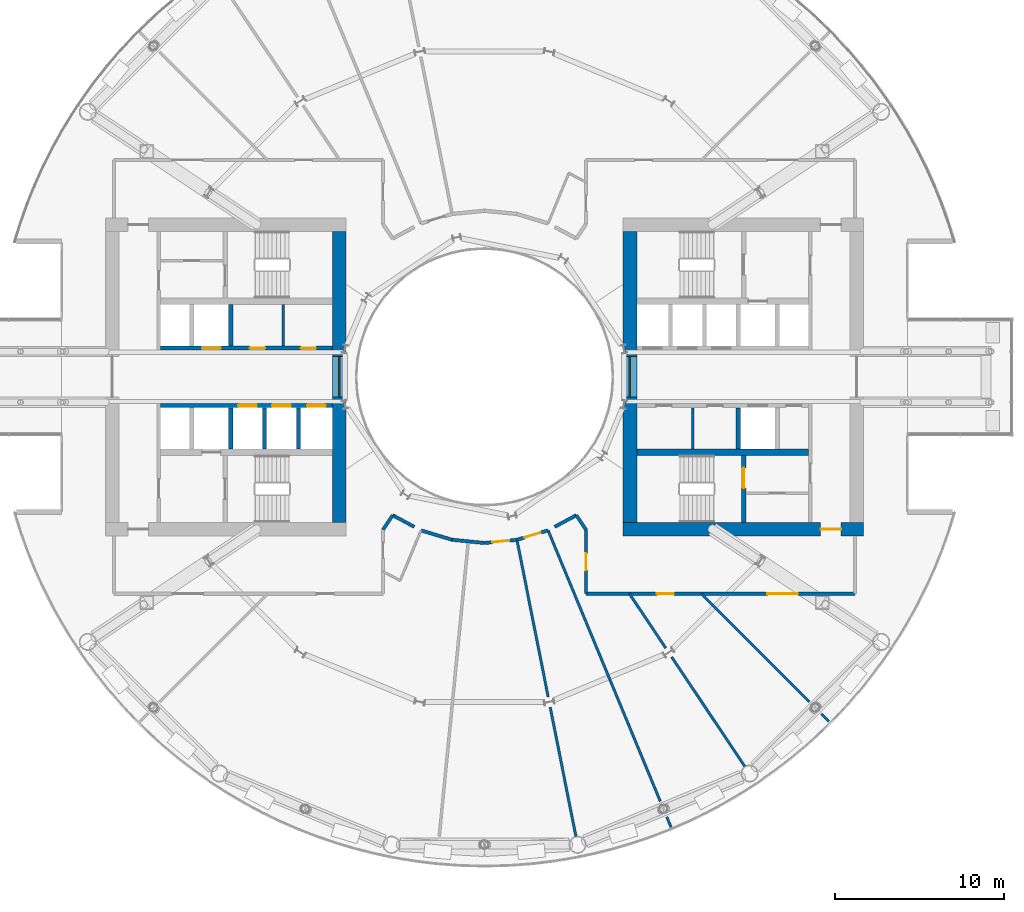
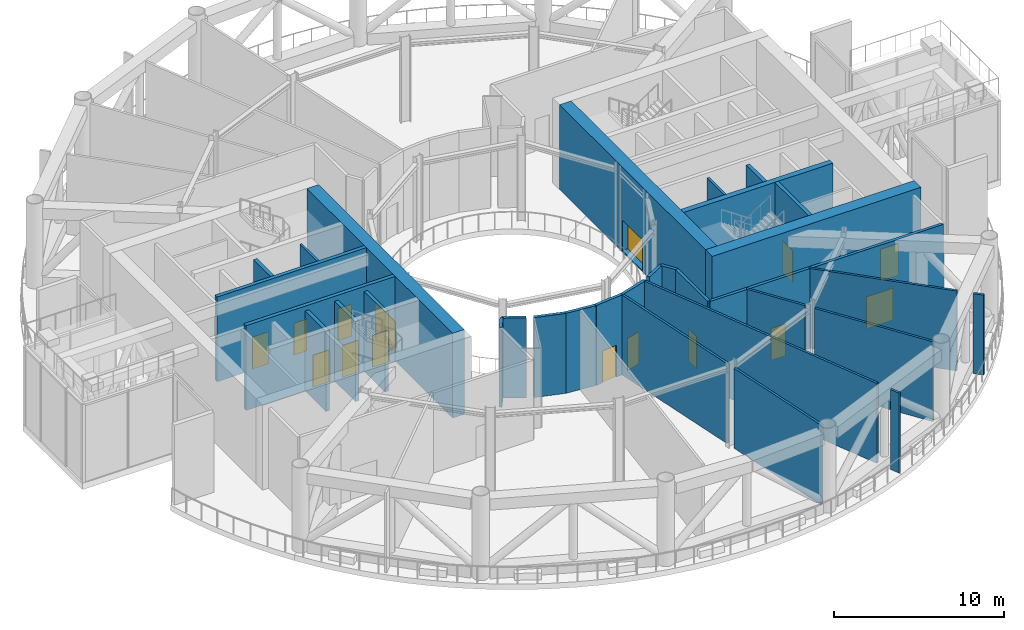
# One storey, part 11 of 22: 32 walls, 13 doors, 2 windows, 15 openings.
"""IFC4 building model written with IfcOpenShell, lengths in metres."""

import ifcopenshell
import ifcopenshell.guid

model = None  # the IFC model being written
_history = None  # IfcOwnerHistory: only IFC2X3 demands one
_inside = {}  # id of a spatial element -> (the spatial element, [elements in it])
_under = {}  # id of a project, library or spatial element -> (it, [spatial elements below it])
_declared = {}  # id of a project -> (the project, [libraries it declares])
_typed = {}  # id of a type object -> (the type object, [elements of that type])
_made_of = {}  # id of a material, layer set ... -> (it, [elements and type objects made of it])


def new_model(schema):
    """Start an empty IFC model of exactly this schema.

    Asked for "IFC4X3", IfcOpenShell would pick the latest addendum, in which some entities
    have other attributes; the version numbers below select the first issue.
    IFC2X3 requires an IfcOwnerHistory on every rooted entity: one is made here for all.
    """
    global model, _history
    if schema == "IFC4X3":
        model = ifcopenshell.file(schema_version=(4, 3, 0, 0))
    else:
        model = ifcopenshell.file(schema=schema)
    _inside.clear()
    _under.clear()
    _declared.clear()
    _typed.clear()
    _made_of.clear()
    _history = None
    if model.schema == "IFC2X3":
        org = make("IfcOrganization", Name="unknown")
        user = make(
            "IfcPersonAndOrganization",
            ThePerson=make("IfcPerson", FamilyName="unknown"),
            TheOrganization=org,
        )
        app = make(
            "IfcApplication",
            ApplicationDeveloper=org,
            Version="unknown",
            ApplicationFullName="unknown",
            ApplicationIdentifier="unknown",
        )
        _history = make(
            "IfcOwnerHistory",
            OwningUser=user,
            OwningApplication=app,
            ChangeAction="ADDED",
            CreationDate=0,
        )
    return model


def make(cls, **values):
    """One entity of the class cls with the attributes given. An attribute that is None is left unset."""
    return model.create_entity(
        cls, **{name: value for name, value in values.items() if value is not None}
    )


def rooted(cls, **values):
    """An entity with a GlobalId (a new one), such as an element, a storey or a relation."""
    return make(cls, GlobalId=ifcopenshell.guid.new(), OwnerHistory=_history, **values)


def si_unit(unit_type, name, prefix=None):
    """IfcSIUnit, for example si_unit("LENGTHUNIT", "METRE", prefix="MILLI")."""
    return make("IfcSIUnit", UnitType=unit_type, Prefix=prefix, Name=name)


def assignment(units):
    """IfcUnitAssignment: the units of a project."""
    return None if units is None else make("IfcUnitAssignment", Units=units)


def point(xyz):
    """IfcCartesianPoint."""
    return None if xyz is None else make("IfcCartesianPoint", Coordinates=xyz)


def direction(xyz):
    """IfcDirection."""
    return None if xyz is None else make("IfcDirection", DirectionRatios=xyz)


def frame(location, z_axis=None, x_axis=None):
    """IfcAxis2Placement3D, a coordinate frame: its origin and axes. An axis left out is left unset."""
    return make(
        "IfcAxis2Placement3D",
        Location=point(location),
        Axis=direction(z_axis),
        RefDirection=direction(x_axis),
    )


def frame_2d(location, x_axis=None):
    """IfcAxis2Placement2D, a coordinate frame in the plane: its origin and x axis."""
    return make(
        "IfcAxis2Placement2D", Location=point(location), RefDirection=direction(x_axis)
    )


def origin():
    """The frame at (0, 0, 0) with its axes left unset."""
    return frame((0.0, 0.0, 0.0))


def place(relative_to, where):
    """IfcLocalPlacement: puts the frame where relative to a parent placement (None: the world)."""
    return make(
        "IfcLocalPlacement", PlacementRelTo=relative_to, RelativePlacement=where
    )


def context(
    kind, dimensions, precision=None, world=None, true_north=None, identifier=None
):
    """IfcGeometricRepresentationContext, for example the 3D "Model" context."""
    return make(
        "IfcGeometricRepresentationContext",
        ContextIdentifier=identifier,
        ContextType=kind,
        CoordinateSpaceDimension=dimensions,
        Precision=precision,
        WorldCoordinateSystem=world,
        TrueNorth=true_north,
    )


def subcontext(parent, identifier, kind, view, scale=None):
    """IfcGeometricRepresentationSubContext, for example "Body" below "Model"."""
    return make(
        "IfcGeometricRepresentationSubContext",
        ContextIdentifier=identifier,
        ContextType=kind,
        ParentContext=parent,
        TargetScale=scale,
        TargetView=view,
    )


def project(units=None, contexts=None):
    """IfcProject with its units and contexts."""
    return rooted(
        "IfcProject",
        Name="project",
        RepresentationContexts=contexts,
        UnitsInContext=assignment(units),
    )


def spatial(cls, under=None, at=None, **own):
    """A site, building, storey or space (cls), placed at a placement, below another one or the project."""
    s = rooted(cls, ObjectPlacement=at, **own)
    if under is not None:
        _under.setdefault(under.id(), (under, []))[1].append(s)
    return s


def profile(cls, at=None, kind="AREA", **sizes):
    """A parametric profile (cls). Its sizes go by their IFC names, for example OverallWidth=200.0."""
    return make(cls, ProfileType=kind, Position=at, **sizes)


def rectangle(**sizes):
    """IfcRectangleProfileDef."""
    return profile("IfcRectangleProfileDef", **sizes)


def extrude(swept, where, along, depth):
    """IfcExtrudedAreaSolid: the profile swept, set in the frame where, extruded along a direction by depth."""
    return make(
        "IfcExtrudedAreaSolid",
        SweptArea=swept,
        Position=where,
        ExtrudedDirection=direction(along),
        Depth=depth,
    )


def shape(context_of_items, identifier, shape_type, items):
    """IfcShapeRepresentation: the items that make up one representation, for example the "Body"."""
    return make(
        "IfcShapeRepresentation",
        ContextOfItems=context_of_items,
        RepresentationIdentifier=identifier,
        RepresentationType=shape_type,
        Items=items,
    )


def material(Name=None, Category=None):
    """IfcMaterial."""
    return make("IfcMaterial", Name=Name, Category=Category)


def layer(
    of_material, thickness, ventilated=None, Name=None, Category=None, Priority=None
):
    """IfcMaterialLayer: one layer of a wall or slab, of a material (None: an air gap)."""
    return make(
        "IfcMaterialLayer",
        Material=of_material,
        LayerThickness=thickness,
        IsVentilated=ventilated,
        Name=Name,
        Category=Category,
        Priority=Priority,
    )


def layer_set(layers, Name=None):
    """IfcMaterialLayerSet."""
    return make("IfcMaterialLayerSet", MaterialLayers=layers, LayerSetName=Name)


def made_of(thing, what):
    """Note that an element or type object is made of a material, layer set ...; save() writes the relation."""
    if what is not None:
        _made_of.setdefault(what.id(), (what, []))[1].append(thing)
    return thing


def type_object(cls, material=None, **own):
    """A type object (cls), such as IfcWallType, which elements share."""
    return made_of(rooted(cls, **own), material)


def element(
    cls,
    number,
    at=None,
    inside=None,
    cuts=None,
    type_object=None,
    material=None,
    context=None,
    identifier="Body",
    shape_type=None,
    held_by="IfcProductDefinitionShape",
    body=None,
    shapes=None,
    **own,
):
    """One element of the class cls, such as IfcWall. Its Tag is "e" and its number.

    at: its placement. inside: the storey or other place that contains it. cuts: it is an
    opening in that element (IfcRelVoidsElement). A single representation is given by context,
    identifier, shape_type and body (its items); several are given by shapes. held_by: the class
    of the entity that holds the representations. save() writes the other relations.
    """
    e = rooted(cls, Tag="e%d" % number, ObjectPlacement=at, **own)
    if body is not None:
        shapes = [shape(context, identifier, shape_type, body)]
    if shapes is not None:
        e.Representation = make(held_by, Representations=shapes)
    if inside is not None:
        _inside.setdefault(inside.id(), (inside, []))[1].append(e)
    if cuts is not None:
        rooted(
            "IfcRelVoidsElement", RelatingBuildingElement=cuts, RelatedOpeningElement=e
        )
    if type_object is not None:
        _typed.setdefault(type_object.id(), (type_object, []))[1].append(e)
    return made_of(e, material)


def fill(opening, filler):
    """IfcRelFillsElement: the door or window that sits in an opening."""
    return rooted(
        "IfcRelFillsElement",
        RelatingOpeningElement=opening,
        RelatedBuildingElement=filler,
    )


def aggregate(whole, parts):
    """IfcRelAggregates: a whole, such as a stair, and the parts it consists of."""
    return rooted("IfcRelAggregates", RelatingObject=whole, RelatedObjects=parts)


def save(model, path):
    """Write the relations noted so far, then the file.

    IfcRelAggregates (storeys below a building ...), IfcRelContainedInSpatialStructure (elements
    in a storey), IfcRelDefinesByType, IfcRelAssociatesMaterial and IfcRelDeclares: one each for
    every whole, place, type object, material and project.
    """
    for whole, parts in _under.values():
        aggregate(whole, parts)
    for where, things in _inside.values():
        rooted(
            "IfcRelContainedInSpatialStructure",
            RelatedElements=things,
            RelatingStructure=where,
        )
    for kind, things in _typed.values():
        rooted("IfcRelDefinesByType", RelatedObjects=things, RelatingType=kind)
    for what, things in _made_of.values():
        rooted("IfcRelAssociatesMaterial", RelatedObjects=things, RelatingMaterial=what)
    for by, libraries in _declared.values():
        rooted("IfcRelDeclares", RelatingContext=by, RelatedDefinitions=libraries)
    model.write(path)


model = new_model("IFC4")

# Units and contexts
model_context = context("Model", 3, precision=1e-05, world=origin(), true_north=direction((0.0, 1.0)))
body_context = subcontext(model_context, "Body", "Model", "MODEL_VIEW")
ifc_project = project(units=[si_unit("LENGTHUNIT", "METRE"), si_unit("AREAUNIT", "SQUARE_METRE"), si_unit("VOLUMEUNIT", "CUBIC_METRE"), si_unit("PLANEANGLEUNIT", "RADIAN"), si_unit("MASSUNIT", "GRAM", prefix="KILO")], contexts=[model_context])

# Site, building, storey
site_placement = place(None, origin())
site = spatial("IfcSite", under=ifc_project, at=site_placement, CompositionType="ELEMENT")
building_placement = place(site_placement, origin())
building = spatial("IfcBuilding", under=site, at=building_placement, Name="Maasbend Ring Residences", CompositionType="ELEMENT")
storey_placement = place(building_placement, frame((0.0, 0.0, 57.5)))
storey = spatial("IfcBuildingStorey", under=building, at=storey_placement, Name="L16", CompositionType="ELEMENT", Elevation=57.5)

# Wall, opening, door
ifc_material_1 = material(Name="Concrete C70/85", Category="concrete")
ifc_layer_1 = layer(ifc_material_1, 0.25)
ifc_layer_set_1 = layer_set([ifc_layer_1], Name="Concrete C70/85")
wall_type_1 = type_object("IfcWallType", Name="CORE WALL 250 C70/85", PredefinedType="SHEAR", material=ifc_layer_set_1)
wall_1_placement = place(storey_placement, frame((15.324951171875, -8.60009765625, 0.0), z_axis=(0.0, 0.0, 1.0), x_axis=(0.0, 1.0, 0.0)))
wall_1 = element("IfcWall", 1, at=wall_1_placement, inside=storey, type_object=wall_type_1, Name="L16 core E wall STES", PredefinedType="SHEAR", context=body_context, shape_type="SweptSolid", body=[
    extrude(rectangle(XDim=3.9501953125, YDim=0.25, at=frame_2d((1.97509765625, 0.0))), origin(), (0.0, 0.0, 1.0), 6.10009765625),
])
opening_1_placement = place(wall_1_placement, frame((2.02490234375, 0.0, 0.0)))
opening_1 = element("IfcOpeningElement", 2, at=opening_1_placement, cuts=wall_1, Name="Opening D-E1611", PredefinedType="OPENING", context=body_context, shape_type="SweptSolid", body=[
    extrude(rectangle(XDim=1.199951171875, YDim=2.300048828125, at=frame_2d((0.60009765625, 1.14990234375))), frame((0.0, 0.135009765625, 0.0), z_axis=(0.0, -1.0, 0.0), x_axis=(1.0, 0.0, 0.0)), (0.0, 0.0, 1.0), 0.27001953125),
])
ifc_material_2 = material(Name="Steel, powder coated", Category="steel")
door_type_1 = type_object("IfcDoorType", Name="STAIR DOOR 1200 X 2300 FD60", OperationType="NOTDEFINED", PredefinedType="DOOR", material=ifc_material_2)
door_1_placement = place(opening_1_placement, origin())
door_1 = element("IfcDoor", 3, at=door_1_placement, inside=storey, type_object=door_type_1, Name="Stair door ST-E L16", OperationType="SINGLE_SWING_LEFT", OverallHeight=2.300048828125, OverallWidth=1.199951171875, PredefinedType="DOOR", context=body_context, shape_type="SweptSolid", body=[
    extrude(rectangle(XDim=1.199951171875, YDim=2.300048828125, at=frame_2d((0.60009765625, 1.14990234375))), frame((0.0, 0.02490234375, 0.0), z_axis=(0.0, -1.0, 0.0), x_axis=(1.0, 0.0, 0.0)), (0.0, 0.0, 1.0), 0.050048828125),
])
fill(opening_1, door_1)

# Wall, openings, doors
wall_2_placement = place(storey_placement, frame((-9.0, -1.699951171875, 0.0), z_axis=(0.0, 0.0, 1.0), x_axis=(-1.0, 0.0, 0.0)))
wall_2 = element("IfcWall", 4, at=wall_2_placement, inside=storey, type_object=wall_type_1, Name="L16 core W wall SPN", PredefinedType="SHEAR", context=body_context, shape_type="SweptSolid", body=[
    extrude(rectangle(XDim=10.14990234375, YDim=0.25, at=frame_2d((5.074951171875, 0.0))), origin(), (0.0, 0.0, 1.0), 6.10009765625),
])
opening_2_placement = place(wall_2_placement, frame((0.387451171875, 0.0, 0.0)))
opening_2 = element("IfcOpeningElement", 5, at=opening_2_placement, cuts=wall_2, Name="Opening LD-W1601", PredefinedType="OPENING", context=body_context, shape_type="SweptSolid", body=[
    extrude(rectangle(XDim=1.10009765625, YDim=2.300048828125, at=frame_2d((0.550048828125, 1.14990234375))), frame((0.0, 0.135009765625, 0.0), z_axis=(0.0, -1.0, 0.0), x_axis=(1.0, 0.0, 0.0)), (0.0, 0.0, 1.0), 0.27001953125),
])
opening_3_placement = place(wall_2_placement, frame((2.449951171875, 0.0, 0.0)))
opening_3 = element("IfcOpeningElement", 6, at=opening_3_placement, cuts=wall_2, Name="Opening LD-W1602", PredefinedType="OPENING", context=body_context, shape_type="SweptSolid", body=[
    extrude(rectangle(XDim=1.10009765625, YDim=2.300048828125, at=frame_2d((0.550048828125, 1.14990234375))), frame((0.0, 0.135009765625, 0.0), z_axis=(0.0, -1.0, 0.0), x_axis=(1.0, 0.0, 0.0)), (0.0, 0.0, 1.0), 0.27001953125),
])
opening_4_placement = place(wall_2_placement, frame((4.449951171875, 0.0, 0.0)))
opening_4 = element("IfcOpeningElement", 7, at=opening_4_placement, cuts=wall_2, Name="Opening LD-W1603", PredefinedType="OPENING", context=body_context, shape_type="SweptSolid", body=[
    extrude(rectangle(XDim=1.10009765625, YDim=2.300048828125, at=frame_2d((0.550048828125, 1.14990234375))), frame((0.0, 0.135009765625, 0.0), z_axis=(0.0, -1.0, 0.0), x_axis=(1.0, 0.0, 0.0)), (0.0, 0.0, 1.0), 0.27001953125),
])
ifc_material_3 = material(Name="Stainless steel 316", Category="steel")
door_type_2 = type_object("IfcDoorType", Name="LANDING DOOR 1100 X 2300 FD60", OperationType="DOUBLE_DOOR_SLIDING", PredefinedType="DOOR", material=ifc_material_3)
door_2_placement = place(opening_2_placement, origin())
door_2 = element("IfcDoor", 8, at=door_2_placement, inside=storey, type_object=door_type_2, Name="Landing door LR-W1 L16", OperationType="DOUBLE_DOOR_SLIDING", OverallHeight=2.300048828125, OverallWidth=1.10009765625, PredefinedType="DOOR", context=body_context, shape_type="SweptSolid", body=[
    extrude(rectangle(XDim=1.10009765625, YDim=2.300048828125, at=frame_2d((0.550048828125, 1.14990234375))), frame((0.0, 0.02490234375, 0.0), z_axis=(0.0, -1.0, 0.0), x_axis=(1.0, 0.0, 0.0)), (0.0, 0.0, 1.0), 0.050048828125),
])
fill(opening_2, door_2)
door_3_placement = place(opening_3_placement, origin())
door_3 = element("IfcDoor", 9, at=door_3_placement, inside=storey, type_object=door_type_2, Name="Landing door LR-W2 L16", OperationType="DOUBLE_DOOR_SLIDING", OverallHeight=2.300048828125, OverallWidth=1.10009765625, PredefinedType="DOOR", context=body_context, shape_type="SweptSolid", body=[
    extrude(rectangle(XDim=1.10009765625, YDim=2.300048828125, at=frame_2d((0.550048828125, 1.14990234375))), frame((0.0, 0.02490234375, 0.0), z_axis=(0.0, -1.0, 0.0), x_axis=(1.0, 0.0, 0.0)), (0.0, 0.0, 1.0), 0.050048828125),
])
fill(opening_3, door_3)
door_4_placement = place(opening_4_placement, origin())
door_4 = element("IfcDoor", 10, at=door_4_placement, inside=storey, type_object=door_type_2, Name="Landing door LR-W3 L16", OperationType="DOUBLE_DOOR_SLIDING", OverallHeight=2.300048828125, OverallWidth=1.10009765625, PredefinedType="DOOR", context=body_context, shape_type="SweptSolid", body=[
    extrude(rectangle(XDim=1.10009765625, YDim=2.300048828125, at=frame_2d((0.550048828125, 1.14990234375))), frame((0.0, 0.02490234375, 0.0), z_axis=(0.0, -1.0, 0.0), x_axis=(1.0, 0.0, 0.0)), (0.0, 0.0, 1.0), 0.050048828125),
])
fill(opening_4, door_4)

wall_3_placement = place(storey_placement, frame((-19.14990234375, 1.699951171875, 0.0), z_axis=(0.0, 0.0, 1.0), x_axis=(1.0, 0.0, 0.0)))
wall_3 = element("IfcWall", 11, at=wall_3_placement, inside=storey, type_object=wall_type_1, Name="L16 core W wall SPS", PredefinedType="SHEAR", context=body_context, shape_type="SweptSolid", body=[
    extrude(rectangle(XDim=10.14990234375, YDim=0.25, at=frame_2d((5.074951171875, 0.0))), origin(), (0.0, 0.0, 1.0), 6.10009765625),
])
opening_5_placement = place(wall_3_placement, frame((2.449951171875, 0.0, 0.0)))
opening_5 = element("IfcOpeningElement", 12, at=opening_5_placement, cuts=wall_3, Name="Opening LD-W1605", PredefinedType="OPENING", context=body_context, shape_type="SweptSolid", body=[
    extrude(rectangle(XDim=1.10009765625, YDim=2.300048828125, at=frame_2d((0.550048828125, 1.14990234375))), frame((0.0, 0.135009765625, 0.0), z_axis=(0.0, -1.0, 0.0), x_axis=(1.0, 0.0, 0.0)), (0.0, 0.0, 1.0), 0.27001953125),
])
opening_6_placement = place(wall_3_placement, frame((8.28759765625, 0.0, 0.0)))
opening_6 = element("IfcOpeningElement", 13, at=opening_6_placement, cuts=wall_3, Name="Opening D-W1606", PredefinedType="OPENING", context=body_context, shape_type="SweptSolid", body=[
    extrude(rectangle(XDim=0.89990234375, YDim=2.300048828125, at=frame_2d((0.449951171875, 1.14990234375))), frame((0.0, 0.135009765625, 0.0), z_axis=(0.0, -1.0, 0.0), x_axis=(1.0, 0.0, 0.0)), (0.0, 0.0, 1.0), 0.27001953125),
])
opening_7_placement = place(wall_3_placement, frame((5.27490234375, 0.0, 0.0)))
opening_7 = element("IfcOpeningElement", 14, at=opening_7_placement, cuts=wall_3, Name="Opening D-W1607", PredefinedType="OPENING", context=body_context, shape_type="SweptSolid", body=[
    extrude(rectangle(XDim=0.89990234375, YDim=2.300048828125, at=frame_2d((0.449951171875, 1.14990234375))), frame((0.0, 0.135009765625, 0.0), z_axis=(0.0, -1.0, 0.0), x_axis=(1.0, 0.0, 0.0)), (0.0, 0.0, 1.0), 0.27001953125),
])
door_5_placement = place(opening_5_placement, origin())
door_5 = element("IfcDoor", 15, at=door_5_placement, inside=storey, type_object=door_type_2, Name="Landing door SV-W L16", OperationType="DOUBLE_DOOR_SLIDING", OverallHeight=2.300048828125, OverallWidth=1.10009765625, PredefinedType="DOOR", context=body_context, shape_type="SweptSolid", body=[
    extrude(rectangle(XDim=1.10009765625, YDim=2.300048828125, at=frame_2d((0.550048828125, 1.14990234375))), frame((0.0, 0.02490234375, 0.0), z_axis=(0.0, -1.0, 0.0), x_axis=(1.0, 0.0, 0.0)), (0.0, 0.0, 1.0), 0.050048828125),
])
fill(opening_5, door_5)
ifc_material_4 = material(Name="Steel, powder coated", Category="steel")
door_type_3 = type_object("IfcDoorType", Name="ROOM DOOR 900 X 2300 FD30S", OperationType="NOTDEFINED", PredefinedType="DOOR", material=ifc_material_4)
door_6_placement = place(opening_6_placement, origin())
door_6 = element("IfcDoor", 16, at=door_6_placement, inside=storey, type_object=door_type_3, Name="Room door L16", OperationType="SINGLE_SWING_LEFT", OverallHeight=2.300048828125, OverallWidth=0.89990234375, PredefinedType="DOOR", context=body_context, shape_type="SweptSolid", body=[
    extrude(rectangle(XDim=0.89990234375, YDim=2.300048828125, at=frame_2d((0.449951171875, 1.14990234375))), frame((0.0, 0.02490234375, 0.0), z_axis=(0.0, -1.0, 0.0), x_axis=(1.0, 0.0, 0.0)), (0.0, 0.0, 1.0), 0.050048828125),
])
fill(opening_6, door_6)
door_7_placement = place(opening_7_placement, origin())
door_7 = element("IfcDoor", 17, at=door_7_placement, inside=storey, type_object=door_type_3, Name="Room door L16", OperationType="SINGLE_SWING_LEFT", OverallHeight=2.300048828125, OverallWidth=0.89990234375, PredefinedType="DOOR", context=body_context, shape_type="SweptSolid", body=[
    extrude(rectangle(XDim=0.89990234375, YDim=2.300048828125, at=frame_2d((0.449951171875, 1.14990234375))), frame((0.0, 0.02490234375, 0.0), z_axis=(0.0, -1.0, 0.0), x_axis=(1.0, 0.0, 0.0)), (0.0, 0.0, 1.0), 0.050048828125),
])
fill(opening_7, door_7)

# Wall
ifc_material_5 = material(Name="Concrete C70/85", Category="concrete")
ifc_layer_2 = layer(ifc_material_5, 0.375)
ifc_layer_set_2 = layer_set([ifc_layer_2], Name="Concrete C70/85")
wall_type_2 = type_object("IfcWallType", Name="CORE WALL 375 C70/85", PredefinedType="SHEAR", material=ifc_layer_set_2)
wall_4_placement = place(storey_placement, frame((9.0, -4.46240234375, 0.0), z_axis=(0.0, 0.0, 1.0), x_axis=(1.0, 0.0, 0.0)))
element("IfcWall", 18, at=wall_4_placement, inside=storey, type_object=wall_type_2, Name="L16 core E wall BS", PredefinedType="SHEAR", context=body_context, shape_type="SweptSolid", body=[
    extrude(rectangle(XDim=10.14990234375, YDim=0.375, at=frame_2d((5.074951171875, 0.0))), origin(), (0.0, 0.0, 1.0), 6.10009765625),
])

# Wall, opening, door
ifc_material_6 = material(Name="Concrete C70/85", Category="concrete")
ifc_layer_3 = layer(ifc_material_6, 0.800048828125)
ifc_layer_set_3 = layer_set([ifc_layer_3], Name="Concrete C70/85")
wall_type_3 = type_object("IfcWallType", Name="CORE WALL 800 C70/85", PredefinedType="SHEAR", material=ifc_layer_set_3)
wall_5_placement = place(storey_placement, frame((8.199951171875, -9.0, 0.0), z_axis=(0.0, 0.0, 1.0), x_axis=(1.0, 0.0, 0.0)))
wall_5 = element("IfcWall", 19, at=wall_5_placement, inside=storey, type_object=wall_type_3, Name="L16 core E wall PS", PredefinedType="SHEAR", context=body_context, shape_type="SweptSolid", body=[
    extrude(rectangle(XDim=14.199951171875, YDim=0.800048828125, at=frame_2d((7.10009765625, 0.0))), origin(), (0.0, 0.0, 1.0), 6.10009765625),
])
opening_8_placement = place(wall_5_placement, frame((11.675048828125, 0.0, 0.0)))
opening_8 = element("IfcOpeningElement", 20, at=opening_8_placement, cuts=wall_5, Name="Opening D-E1615", PredefinedType="OPENING", context=body_context, shape_type="SweptSolid", body=[
    extrude(rectangle(XDim=1.199951171875, YDim=2.300048828125, at=frame_2d((0.60009765625, 1.14990234375))), frame((0.0, 0.41015625, 0.0), z_axis=(0.0, -1.0, 0.0), x_axis=(1.0, 0.0, 0.0)), (0.0, 0.0, 1.0), 0.820068359375),
])
ifc_material_7 = material(Name="Steel, powder coated", Category="steel")
door_type_4 = type_object("IfcDoorType", Name="CORRIDOR DOOR 1200 X 2300 FD30S", OperationType="NOTDEFINED", PredefinedType="DOOR", material=ifc_material_7)
door_8_placement = place(opening_8_placement, origin())
door_8 = element("IfcDoor", 21, at=door_8_placement, inside=storey, type_object=door_type_4, Name="Corridor door L16", OperationType="SINGLE_SWING_LEFT", OverallHeight=2.300048828125, OverallWidth=1.199951171875, PredefinedType="DOOR", context=body_context, shape_type="SweptSolid", body=[
    extrude(rectangle(XDim=1.199951171875, YDim=2.300048828125, at=frame_2d((0.60009765625, 1.14990234375))), frame((0.0, 0.02490234375, 0.0), z_axis=(0.0, -1.0, 0.0), x_axis=(1.0, 0.0, 0.0)), (0.0, 0.0, 1.0), 0.050048828125),
])
fill(opening_8, door_8)

# Wall, opening, window
wall_6_placement = place(storey_placement, frame((8.60009765625, -8.60009765625, 0.0), z_axis=(0.0, 0.0, 1.0), x_axis=(0.0, 1.0, 0.0)))
wall_6 = element("IfcWall", 22, at=wall_6_placement, inside=storey, type_object=wall_type_3, Name="L16 core E wall PIN", PredefinedType="SHEAR", context=body_context, shape_type="SweptSolid", body=[
    extrude(rectangle(XDim=17.2001953125, YDim=0.800048828125, at=frame_2d((8.60009765625, 0.0))), origin(), (0.0, 0.0, 1.0), 6.10009765625),
])
opening_9_placement = place(wall_6_placement, frame((7.39990234375, 0.0, 0.10009765625)))
opening_9 = element("IfcOpeningElement", 23, at=opening_9_placement, cuts=wall_6, Name="Opening W-E1601", PredefinedType="OPENING", context=body_context, shape_type="SweptSolid", body=[
    extrude(rectangle(XDim=2.39990234375, YDim=2.199951171875, at=frame_2d((1.199951171875, 1.10009765625))), frame((0.0, 0.41015625, 0.0), z_axis=(0.0, -1.0, 0.0), x_axis=(1.0, 0.0, 0.0)), (0.0, 0.0, 1.0), 0.820068359375),
])
ifc_material_8 = material(Name="Aluminium frame and clear glass", Category="aluminium")
window_type = type_object("IfcWindowType", Name="FIXED WINDOW 2400 X 2200", PartitioningType="SINGLE_PANEL", PredefinedType="WINDOW", material=ifc_material_8)
window_1_placement = place(opening_9_placement, origin())
window_1 = element("IfcWindow", 24, at=window_1_placement, inside=storey, type_object=window_type, Name="Lobby window L16", OverallHeight=2.199951171875, OverallWidth=2.39990234375, PartitioningType="SINGLE_PANEL", PredefinedType="WINDOW", context=body_context, shape_type="SweptSolid", body=[
    extrude(rectangle(XDim=2.39990234375, YDim=2.199951171875, at=frame_2d((1.199951171875, 1.10009765625))), frame((0.0, 0.030029296875, 0.0), z_axis=(0.0, -1.0, 0.0), x_axis=(1.0, 0.0, 0.0)), (0.0, 0.0, 1.0), 0.06005859375),
])
fill(opening_9, window_1)

wall_7_placement = place(storey_placement, frame((-8.60009765625, 8.60009765625, 0.0), z_axis=(0.0, 0.0, 1.0), x_axis=(0.0, -1.0, 0.0)))
wall_7 = element("IfcWall", 25, at=wall_7_placement, inside=storey, type_object=wall_type_3, Name="L16 core W wall PIN", PredefinedType="SHEAR", context=body_context, shape_type="SweptSolid", body=[
    extrude(rectangle(XDim=17.2001953125, YDim=0.800048828125, at=frame_2d((8.60009765625, 0.0))), origin(), (0.0, 0.0, 1.0), 6.10009765625),
])
opening_10_placement = place(wall_7_placement, frame((7.39990234375, 0.0, 0.10009765625)))
opening_10 = element("IfcOpeningElement", 26, at=opening_10_placement, cuts=wall_7, Name="Opening W-W1601", PredefinedType="OPENING", context=body_context, shape_type="SweptSolid", body=[
    extrude(rectangle(XDim=2.39990234375, YDim=2.199951171875, at=frame_2d((1.199951171875, 1.10009765625))), frame((0.0, 0.41015625, 0.0), z_axis=(0.0, -1.0, 0.0), x_axis=(1.0, 0.0, 0.0)), (0.0, 0.0, 1.0), 0.820068359375),
])
window_2_placement = place(opening_10_placement, origin())
window_2 = element("IfcWindow", 27, at=window_2_placement, inside=storey, type_object=window_type, Name="Lobby window L16", OverallHeight=2.199951171875, OverallWidth=2.39990234375, PartitioningType="SINGLE_PANEL", PredefinedType="WINDOW", context=body_context, shape_type="SweptSolid", body=[
    extrude(rectangle(XDim=2.39990234375, YDim=2.199951171875, at=frame_2d((1.199951171875, 1.10009765625))), frame((0.0, 0.030029296875, 0.0), z_axis=(0.0, -1.0, 0.0), x_axis=(1.0, 0.0, 0.0)), (0.0, 0.0, 1.0), 0.06005859375),
])
fill(opening_10, window_2)

# Wall, openings, doors
ifc_material_9 = material(Name="Concrete C30/37", Category="concrete")
ifc_layer_4 = layer(ifc_material_9, 0.199951171875)
ifc_layer_set_4 = layer_set([ifc_layer_4], Name="Concrete C30/37")
wall_type_4 = type_object("IfcWallType", Name="CORRIDOR WALL 200 CONCRETE", PredefinedType="PARTITIONING", material=ifc_layer_set_4)
wall_8_placement = place(storey_placement, frame((6.0, -12.820068359375, 0.0), z_axis=(0.0, 0.0, 1.0), x_axis=(1.0, 0.0, 0.0)))
wall_8 = element("IfcWall", 28, at=wall_8_placement, inside=storey, type_object=wall_type_4, Name="U-L16-w005", PredefinedType="PARTITIONING", context=body_context, shape_type="SweptSolid", body=[
    extrude(rectangle(XDim=15.89990234375, YDim=0.199951171875, at=frame_2d((7.949951171875, 0.0))), origin(), (0.0, 0.0, 1.0), 5.75),
])
opening_11_placement = place(wall_8_placement, frame((4.193115234375, 0.0, 0.0)))
opening_11 = element("IfcOpeningElement", 29, at=opening_11_placement, cuts=wall_8, Name="Opening D-1610", PredefinedType="OPENING", context=body_context, shape_type="SweptSolid", body=[
    extrude(rectangle(XDim=1.0, YDim=2.300048828125, at=frame_2d((0.5, 1.14990234375))), frame((0.0, 0.10986328125, 0.0), z_axis=(0.0, -1.0, 0.0), x_axis=(1.0, 0.0, 0.0)), (0.0, 0.0, 1.0), 0.219970703125),
])
opening_12_placement = place(wall_8_placement, frame((10.719970703125, 0.0, 0.0)))
opening_12 = element("IfcOpeningElement", 30, at=opening_12_placement, cuts=wall_8, Name="Opening D-1615", PredefinedType="OPENING", context=body_context, shape_type="SweptSolid", body=[
    extrude(rectangle(XDim=1.800048828125, YDim=2.300048828125, at=frame_2d((0.89990234375, 1.14990234375))), frame((0.0, 0.10986328125, 0.0), z_axis=(0.0, -1.0, 0.0), x_axis=(1.0, 0.0, 0.0)), (0.0, 0.0, 1.0), 0.219970703125),
])
ifc_material_10 = material(Name="Timber, painted", Category="wood")
door_type_5 = type_object("IfcDoorType", Name="DOUBLE DOOR 1800 X 2300", OperationType="NOTDEFINED", PredefinedType="DOOR", material=ifc_material_10)
door_9_placement = place(opening_12_placement, origin())
door_9 = element("IfcDoor", 31, at=door_9_placement, inside=storey, type_object=door_type_5, Name="D-1615", OperationType="DOUBLE_DOOR_SINGLE_SWING", OverallHeight=2.300048828125, OverallWidth=1.800048828125, PredefinedType="DOOR", context=body_context, shape_type="SweptSolid", body=[
    extrude(rectangle(XDim=1.800048828125, YDim=2.300048828125, at=frame_2d((0.89990234375, 1.14990234375))), frame((0.0, 0.02490234375, 0.0), z_axis=(0.0, -1.0, 0.0), x_axis=(1.0, 0.0, 0.0)), (0.0, 0.0, 1.0), 0.050048828125),
])
fill(opening_12, door_9)
ifc_material_11 = material(Name="Timber, painted", Category="wood")
door_type_6 = type_object("IfcDoorType", Name="ROOM DOOR 1000 X 2300", OperationType="NOTDEFINED", PredefinedType="DOOR", material=ifc_material_11)
door_10_placement = place(opening_11_placement, origin())
door_10 = element("IfcDoor", 32, at=door_10_placement, inside=storey, type_object=door_type_6, Name="D-1610", OperationType="SINGLE_SWING_LEFT", OverallHeight=2.300048828125, OverallWidth=1.0, PredefinedType="DOOR", context=body_context, shape_type="SweptSolid", body=[
    extrude(rectangle(XDim=1.0, YDim=2.300048828125, at=frame_2d((0.5, 1.14990234375))), frame((0.0, 0.02490234375, 0.0), z_axis=(0.0, -1.0, 0.0), x_axis=(1.0, 0.0, 0.0)), (0.0, 0.0, 1.0), 0.050048828125),
])
fill(opening_11, door_10)

# Walls
wall_9_placement = place(storey_placement, frame((-5.428955078125, -8.178955078125, 0.0), z_axis=(0.0, 0.0, 1.0), x_axis=(0.881652665802, -0.471898905364, 0.0)))
element("IfcWall", 33, at=wall_9_placement, inside=storey, type_object=wall_type_4, Name="U-L16-w006", PredefinedType="PARTITIONING", context=body_context, shape_type="SweptSolid", body=[
    extrude(rectangle(XDim=1.44970703125, YDim=0.199951171875, at=frame_2d((0.724853515625, 0.0))), origin(), (0.0, 0.0, 1.0), 5.75),
])
wall_10_placement = place(storey_placement, frame((-3.758056640625, -9.072021484375, 0.0), z_axis=(0.0, 0.0, 1.0), x_axis=(0.956896312675, -0.29042976223, 0.0)))
element("IfcWall", 34, at=wall_10_placement, inside=storey, type_object=wall_type_4, Name="U-L16-w007", PredefinedType="PARTITIONING", context=body_context, shape_type="SweptSolid", body=[
    extrude(rectangle(XDim=1.925048828125, YDim=0.199951171875, at=frame_2d((0.96240234375, 0.0))), origin(), (0.0, 0.0, 1.0), 5.75),
])
wall_11_placement = place(storey_placement, frame((-1.928955078125, -9.62890625, 0.0), z_axis=(0.0, 0.0, 1.0), x_axis=(0.995059761059, -0.09927775139, 0.0)))
element("IfcWall", 35, at=wall_11_placement, inside=storey, type_object=wall_type_4, Name="U-L16-w008", PredefinedType="PARTITIONING", context=body_context, shape_type="SweptSolid", body=[
    extrude(rectangle(XDim=1.925537109375, YDim=0.199951171875, at=frame_2d((0.962890625, 0.0))), origin(), (0.0, 0.0, 1.0), 5.75),
])

# Wall, opening, door
wall_12_placement = place(storey_placement, frame((0.0, -9.820068359375, 0.0), z_axis=(0.0, 0.0, 1.0), x_axis=(0.995171860647, 0.098147683504, 0.0)))
wall_12 = element("IfcWall", 36, at=wall_12_placement, inside=storey, type_object=wall_type_4, Name="U-L16-w009", PredefinedType="PARTITIONING", context=body_context, shape_type="SweptSolid", body=[
    extrude(rectangle(XDim=1.92529296875, YDim=0.199951171875, at=frame_2d((0.962646484375, 0.0))), origin(), (0.0, 0.0, 1.0), 5.75),
])
opening_13_placement = place(wall_12_placement, frame((0.462890625, 0.0, 0.0)))
opening_13 = element("IfcOpeningElement", 37, at=opening_13_placement, cuts=wall_12, Name="Opening D-1608", PredefinedType="OPENING", context=body_context, shape_type="SweptSolid", body=[
    extrude(rectangle(XDim=1.0, YDim=2.300048828125, at=frame_2d((0.5, 1.14990234375))), frame((0.0, 0.10986328125, 0.0), z_axis=(0.0, -1.0, 0.0), x_axis=(1.0, 0.0, 0.0)), (0.0, 0.0, 1.0), 0.219970703125),
])
door_11_placement = place(opening_13_placement, origin())
door_11 = element("IfcDoor", 38, at=door_11_placement, inside=storey, type_object=door_type_6, Name="D-1608", OperationType="SINGLE_SWING_LEFT", OverallHeight=2.300048828125, OverallWidth=1.0, PredefinedType="DOOR", context=body_context, shape_type="SweptSolid", body=[
    extrude(rectangle(XDim=1.0, YDim=2.300048828125, at=frame_2d((0.5, 1.14990234375))), frame((0.0, 0.02490234375, 0.0), z_axis=(0.0, -1.0, 0.0), x_axis=(1.0, 0.0, 0.0)), (0.0, 0.0, 1.0), 0.050048828125),
])
fill(opening_13, door_11)

wall_13_placement = place(storey_placement, frame((1.916015625, -9.631103515625, 0.0), z_axis=(0.0, 0.0, 1.0), x_axis=(0.956896312675, 0.29042976223, 0.0)))
wall_13 = element("IfcWall", 39, at=wall_13_placement, inside=storey, type_object=wall_type_4, Name="U-L16-w010", PredefinedType="PARTITIONING", context=body_context, shape_type="SweptSolid", body=[
    extrude(rectangle(XDim=1.925048828125, YDim=0.199951171875, at=frame_2d((0.96240234375, 0.0))), origin(), (0.0, 0.0, 1.0), 5.75),
])
opening_14_placement = place(wall_13_placement, frame((0.4619140625, 0.0, 0.0)))
opening_14 = element("IfcOpeningElement", 40, at=opening_14_placement, cuts=wall_13, Name="Opening D-1614", PredefinedType="OPENING", context=body_context, shape_type="SweptSolid", body=[
    extrude(rectangle(XDim=1.0, YDim=2.300048828125, at=frame_2d((0.5, 1.14990234375))), frame((0.0, 0.10986328125, 0.0), z_axis=(0.0, -1.0, 0.0), x_axis=(1.0, 0.0, 0.0)), (0.0, 0.0, 1.0), 0.219970703125),
])
door_12_placement = place(opening_14_placement, origin())
door_12 = element("IfcDoor", 41, at=door_12_placement, inside=storey, type_object=door_type_6, Name="D-1614", OperationType="SINGLE_SWING_LEFT", OverallHeight=2.300048828125, OverallWidth=1.0, PredefinedType="DOOR", context=body_context, shape_type="SweptSolid", body=[
    extrude(rectangle(XDim=1.0, YDim=2.300048828125, at=frame_2d((0.5, 1.14990234375))), frame((0.0, 0.02490234375, 0.0), z_axis=(0.0, -1.0, 0.0), x_axis=(1.0, 0.0, 0.0)), (0.0, 0.0, 1.0), 0.050048828125),
])
fill(opening_14, door_12)

# Wall
wall_14_placement = place(storey_placement, frame((4.15087890625, -8.862060546875, 0.0), z_axis=(0.0, 0.0, 1.0), x_axis=(0.88193287619, 0.471375011954, 0.0)))
element("IfcWall", 42, at=wall_14_placement, inside=storey, type_object=wall_type_4, Name="U-L16-w011", PredefinedType="PARTITIONING", context=body_context, shape_type="SweptSolid", body=[
    extrude(rectangle(XDim=1.44921875, YDim=0.199951171875, at=frame_2d((0.724609375, 0.0))), origin(), (0.0, 0.0, 1.0), 5.75),
])

# Wall, opening, door
wall_15_placement = place(storey_placement, frame((6.0, -12.820068359375, 0.0), z_axis=(0.0, 0.0, 1.0), x_axis=(0.0, 1.0, 0.0)))
wall_15 = element("IfcWall", 43, at=wall_15_placement, inside=storey, type_object=wall_type_4, Name="U-L16-w012", PredefinedType="PARTITIONING", context=body_context, shape_type="SweptSolid", body=[
    extrude(rectangle(XDim=3.7861328125, YDim=0.199951171875, at=frame_2d((1.89306640625, 0.0))), origin(), (0.0, 0.0, 1.0), 5.75),
])
opening_15_placement = place(wall_15_placement, frame((1.39306640625, 0.0, 0.0)))
opening_15 = element("IfcOpeningElement", 44, at=opening_15_placement, cuts=wall_15, Name="Opening D-1609", PredefinedType="OPENING", context=body_context, shape_type="SweptSolid", body=[
    extrude(rectangle(XDim=1.0, YDim=2.300048828125, at=frame_2d((0.5, 1.14990234375))), frame((0.0, 0.10986328125, 0.0), z_axis=(0.0, -1.0, 0.0), x_axis=(1.0, 0.0, 0.0)), (0.0, 0.0, 1.0), 0.219970703125),
])
door_13_placement = place(opening_15_placement, origin())
door_13 = element("IfcDoor", 45, at=door_13_placement, inside=storey, type_object=door_type_6, Name="D-1609", OperationType="SINGLE_SWING_RIGHT", OverallHeight=2.300048828125, OverallWidth=1.0, PredefinedType="DOOR", context=body_context, shape_type="SweptSolid", body=[
    extrude(rectangle(XDim=1.0, YDim=2.300048828125, at=frame_2d((0.5, 1.14990234375))), frame((0.0, 0.02490234375, 0.0), z_axis=(0.0, -1.0, 0.0), x_axis=(1.0, 0.0, 0.0)), (0.0, 0.0, 1.0), 0.050048828125),
])
fill(opening_15, door_13)

# Walls
for number, where, z_axis, x_axis, name in (
    (46, (-6.0, -9.033935546875, 0.0), (0.0, 0.0, 1.0), (0.555412364489, 0.831575075007, 0.0), "U-L16-w014"),
    (47, (5.428955078125, -8.178955078125, 0.0), (0.0, 0.0, 1.0), (0.555412364489, -0.831575075007, 0.0), "U-L16-w015"),
):
    element("IfcWall", number, at=place(storey_placement, frame(where, z_axis=z_axis, x_axis=x_axis)), inside=storey, type_object=wall_type_4, Name=name, PredefinedType="PARTITIONING", context=body_context, shape_type="SweptSolid", body=[
        extrude(rectangle(XDim=1.028076171875, YDim=0.199951171875, at=frame_2d((0.51416015625, 0.0))), origin(), (0.0, 0.0, 1.0), 5.75),
    ])
ifc_material_12 = material(Name="Gypsum board on steel studs", Category="steel")
ifc_layer_5 = layer(ifc_material_12, 0.14990234375)
ifc_layer_set_5 = layer_set([ifc_layer_5], Name="PARTITION 150 EI 60")
wall_type_5 = type_object("IfcWallType", Name="PARTITION 150 EI 60", PredefinedType="PARTITIONING", material=ifc_layer_set_5)
for number, where, z_axis, x_axis, name in (
    (48, (12.300048828125, -1.824951171875, 0.0), (0.0, 0.0, 1.0), (0.0, -1.0, 0.0), "L16 core E wall PRS1230"),
    (49, (-11.89990234375, 1.824951171875, 0.0), (0.0, 0.0, 1.0), (0.0, 1.0, 0.0), "L16 core W wall PRS1190"),
):
    element("IfcWall", number, at=place(storey_placement, frame(where, z_axis=z_axis, x_axis=x_axis)), inside=storey, type_object=wall_type_5, Name=name, PredefinedType="PARTITIONING", context=body_context, shape_type="SweptSolid", body=[
        extrude(rectangle(XDim=2.449951171875, YDim=0.14990234375, at=frame_2d((1.22509765625, 0.0))), origin(), (0.0, 0.0, 1.0), 5.75),
    ])
ifc_material_13 = material(Name="Gypsum board on steel studs", Category="steel")
ifc_layer_6 = layer(ifc_material_13, 0.14990234375)
ifc_layer_set_6 = layer_set([ifc_layer_6], Name="PARTITION 150 GYPSUM")
wall_type_6 = type_object("IfcWallType", Name="PARTITION 150 GYPSUM", PredefinedType="PARTITIONING", material=ifc_layer_set_6)
wall_16_placement = place(storey_placement, frame((1.916015625, -9.631103515625, 0.0), z_axis=(0.0, 0.0, 1.0), x_axis=(0.195035186511, -0.980796245926, 0.0)))
element("IfcWall", 50, at=wall_16_placement, inside=storey, type_object=wall_type_6, Name="U-L16-w028", PredefinedType="PARTITIONING", context=body_context, shape_type="SweptSolid", body=[
    extrude(rectangle(XDim=9.4697265625, YDim=0.14990234375, at=frame_2d((4.73486328125, 0.0))), origin(), (0.0, 0.0, 1.0), 5.75),
])
wall_17_placement = place(storey_placement, frame((3.757080078125, -9.072021484375, 0.0), z_axis=(0.0, 0.0, 1.0), x_axis=(0.382668905709, -0.923885549516, 0.0)))
element("IfcWall", 51, at=wall_17_placement, inside=storey, type_object=wall_type_6, Name="U-L16-w029", PredefinedType="PARTITIONING", context=body_context, shape_type="SweptSolid", body=[
    extrude(rectangle(XDim=17.3388671875, YDim=0.14990234375, at=frame_2d((8.66943359375, 0.0))), origin(), (0.0, 0.0, 1.0), 5.75),
])
wall_18_placement = place(storey_placement, frame((3.884033203125, -19.527099609375, 0.0), z_axis=(0.0, 0.0, 1.0), x_axis=(0.195085619607, -0.980786215759, 0.0)))
element("IfcWall", 52, at=wall_18_placement, inside=storey, type_object=wall_type_6, Name="U-L16-w031", PredefinedType="PARTITIONING", context=body_context, shape_type="SweptSolid", body=[
    extrude(rectangle(XDim=7.79150390625, YDim=0.14990234375, at=frame_2d((3.895751953125, 0.0))), origin(), (0.0, 0.0, 1.0), 5.75),
])
wall_19_placement = place(storey_placement, frame((8.56591796875, -12.820068359375, 0.0), z_axis=(0.0, 0.0, 1.0), x_axis=(0.55561664662, -0.831438597853, 0.0)))
element("IfcWall", 53, at=wall_19_placement, inside=storey, type_object=wall_type_6, Name="U-L16-w032", PredefinedType="PARTITIONING", context=body_context, shape_type="SweptSolid", body=[
    extrude(rectangle(XDim=3.87158203125, YDim=0.14990234375, at=frame_2d((1.935791015625, 0.0))), origin(), (0.0, 0.0, 1.0), 5.75),
])
wall_20_placement = place(storey_placement, frame((10.77490234375, -26.014892578125, 0.0), z_axis=(0.0, 0.0, 1.0), x_axis=(0.383291989612, -0.923627224967, 0.0)))
element("IfcWall", 54, at=wall_20_placement, inside=storey, type_object=wall_type_6, Name="U-L16-w033", PredefinedType="PARTITIONING", context=body_context, shape_type="SweptSolid", body=[
    extrude(rectangle(XDim=0.64208984375, YDim=0.14990234375, at=frame_2d((0.321044921875, 0.0))), origin(), (0.0, 0.0, 1.0), 5.75),
])
wall_21_placement = place(storey_placement, frame((11.06103515625, -16.554931640625, 0.0), z_axis=(0.0, 0.0, 1.0), x_axis=(0.555603767829, -0.831447204081, 0.0)))
element("IfcWall", 55, at=wall_21_placement, inside=storey, type_object=wall_type_6, Name="U-L16-w034", PredefinedType="PARTITIONING", context=body_context, shape_type="SweptSolid", body=[
    extrude(rectangle(XDim=7.791259765625, YDim=0.14990234375, at=frame_2d((3.8955078125, 0.0))), origin(), (0.0, 0.0, 1.0), 5.75),
])
wall_22_placement = place(storey_placement, frame((12.820068359375, -12.820068359375, 0.0), z_axis=(0.0, 0.0, 1.0), x_axis=(0.707106781187, -0.707106781187, 0.0)))
element("IfcWall", 56, at=wall_22_placement, inside=storey, type_object=wall_type_6, Name="U-L16-w035", PredefinedType="PARTITIONING", context=body_context, shape_type="SweptSolid", body=[
    extrude(rectangle(XDim=9.0283203125, YDim=0.14990234375, at=frame_2d((4.51416015625, 0.0))), origin(), (0.0, 0.0, 1.0), 5.75),
])
wall_23_placement = place(storey_placement, frame((19.910888671875, -19.910888671875, 0.0), z_axis=(0.0, 0.0, 1.0), x_axis=(0.707106781187, -0.707106781187, 0.0)))
element("IfcWall", 57, at=wall_23_placement, inside=storey, type_object=wall_type_6, Name="U-L16-w037", PredefinedType="PARTITIONING", context=body_context, shape_type="SweptSolid", body=[
    extrude(rectangle(XDim=0.64208984375, YDim=0.14990234375, at=frame_2d((0.321044921875, 0.0))), origin(), (0.0, 0.0, 1.0), 5.75),
])
ifc_material_14 = material(Name="Concrete C30/37", Category="concrete")
ifc_layer_7 = layer(ifc_material_14, 0.25)
ifc_layer_set_7 = layer_set([ifc_layer_7], Name="Concrete C30/37")
wall_type_7 = type_object("IfcWallType", Name="SHAFT WALL 250 EI 120", PredefinedType="SOLIDWALL", material=ifc_layer_set_7)
for number, where, z_axis, x_axis, name in (
    (58, (15.0, -1.824951171875, 0.0), (0.0, 0.0, 1.0), (0.0, -1.0, 0.0), "L16 core E wall D150S"),
    (59, (-15.0, -1.824951171875, 0.0), (0.0, 0.0, 1.0), (0.0, -1.0, 0.0), "L16 core W wall D150N"),
    (60, (-15.0, 1.824951171875, 0.0), (0.0, 0.0, 1.0), (0.0, 1.0, 0.0), "L16 core W wall D150S"),
    (61, (-11.0, -1.824951171875, 0.0), (0.0, 0.0, 1.0), (0.0, -1.0, 0.0), "L16 core W wall D110N"),
    (62, (-13.0, -1.824951171875, 0.0), (0.0, 0.0, 1.0), (0.0, -1.0, 0.0), "L16 core W wall D130N"),
):
    element("IfcWall", number, at=place(storey_placement, frame(where, z_axis=z_axis, x_axis=x_axis)), inside=storey, type_object=wall_type_7, Name=name, PredefinedType="SOLIDWALL", context=body_context, shape_type="SweptSolid", body=[
        extrude(rectangle(XDim=2.449951171875, YDim=0.25, at=frame_2d((1.22509765625, 0.0))), origin(), (0.0, 0.0, 1.0), 5.75),
    ])

save(model, "model.ifc")
